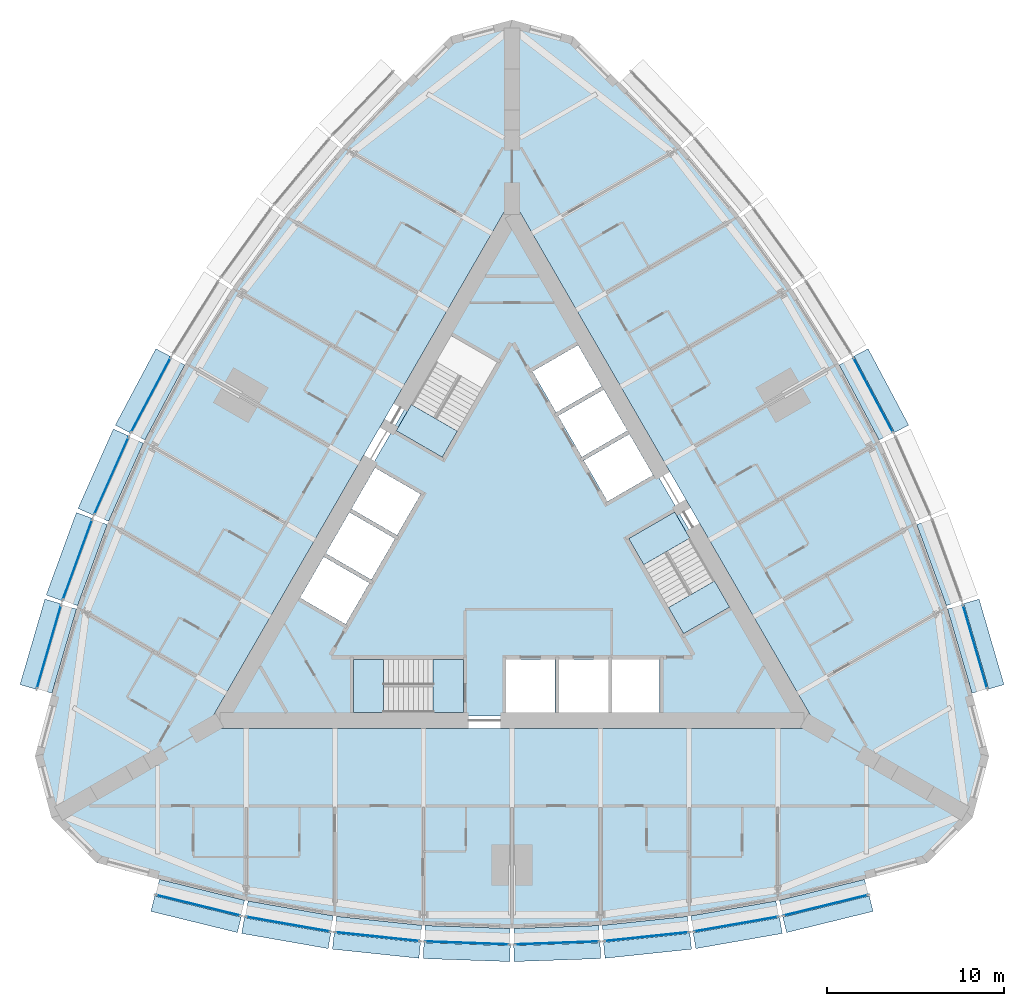
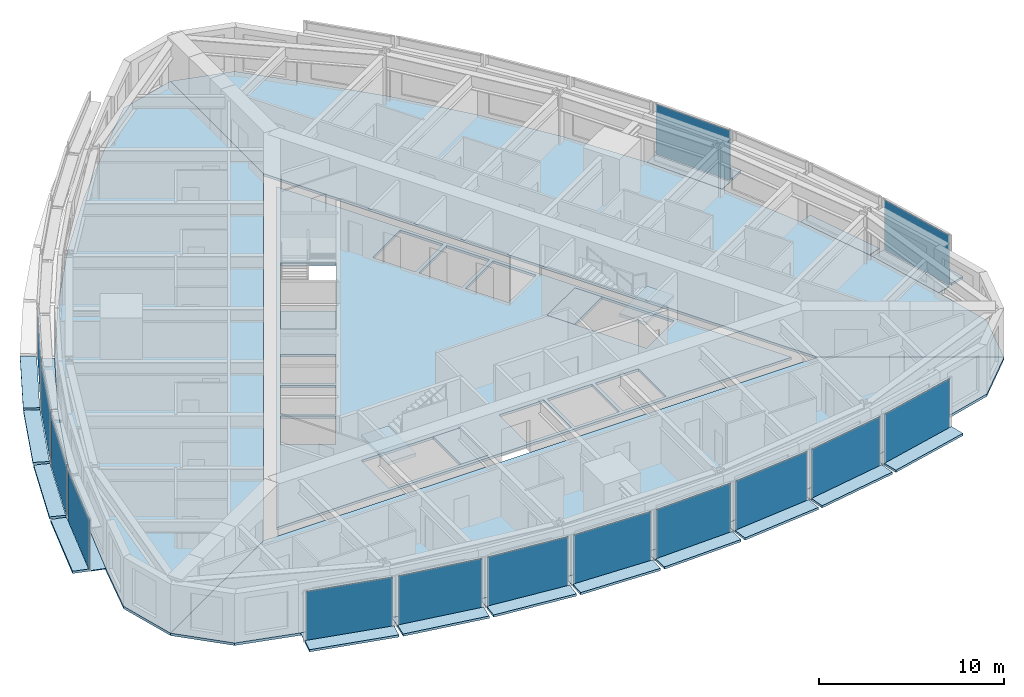
# One storey, part 6 of 14: 43 plates, 9 slabs, 17 elements without a shape of their own.
"""IFC4 building model written with IfcOpenShell, lengths in metres."""

from ifc_helpers import new_model, si_unit, direction, frame, origin, origin_2d, place, context, subcontext, project, spatial, polyline, rectangle, outline, extrude, material, layer, layer_set, type_object, element, aggregate, save


model = new_model("IFC4")

# Units and contexts
model_context = context("Model", 3, precision=1e-05, world=origin(), true_north=direction((0.0, 1.0)))
body_context = subcontext(model_context, "Body", "Model", "MODEL_VIEW")
ifc_project = project(units=[si_unit("LENGTHUNIT", "METRE"), si_unit("AREAUNIT", "SQUARE_METRE"), si_unit("VOLUMEUNIT", "CUBIC_METRE"), si_unit("PLANEANGLEUNIT", "RADIAN"), si_unit("MASSUNIT", "GRAM", prefix="KILO")], contexts=[model_context])

# Site, building, storey
site_placement = place(None, origin())
site = spatial("IfcSite", under=ifc_project, at=site_placement, CompositionType="ELEMENT")
building_placement = place(site_placement, origin())
building = spatial("IfcBuilding", under=site, at=building_placement, Name="Trikona Tower", CompositionType="ELEMENT")
storey_placement = place(building_placement, frame((0.0, 0.0, 141.89990234375)))
storey = spatial("IfcBuildingStorey", under=building, at=storey_placement, Name="L37", CompositionType="ELEMENT", Elevation=141.89990234375)

# Plates
ifc_material_1 = material(Name="Aluminium bar grating", Category="aluminium")
ifc_layer_1 = layer(ifc_material_1, 0.050048828125)
ifc_layer_set_1 = layer_set([ifc_layer_1], Name="Cavity catwalk grating")
plate_type_1 = type_object("IfcPlateType", Name="Cavity catwalk grating", PredefinedType="USERDEFINED", material=ifc_layer_set_1)
plate_1_placement = place(storey_placement, frame((-17.598876953125, -19.49072265625, -0.0498046875), z_axis=(0.0, 0.0, 1.0), x_axis=(0.971274411564, -0.237962218516, 0.0)))
element("IfcPlate", 1, at=plate_1_placement, inside=storey, type_object=plate_type_1, Name="Cavity catwalk L37-00", ObjectType="CATWALK GRATING", PredefinedType="USERDEFINED", context=body_context, shape_type="SweptSolid", body=[
    extrude(rectangle(XDim=4.947998046875, YDim=0.830078125, at=origin_2d()), origin(), (0.0, 0.0, 1.0), 0.050048828125),
])
plate_2_placement = place(storey_placement, frame((-12.571533203125, -20.54638671875, -0.0498046875), z_axis=(0.0, 0.0, 1.0), x_axis=(0.985030604067, -0.172379549401, 0.0)))
element("IfcPlate", 2, at=plate_2_placement, inside=storey, type_object=plate_type_1, Name="Cavity catwalk L37-01", ObjectType="CATWALK GRATING", PredefinedType="USERDEFINED", context=body_context, shape_type="SweptSolid", body=[
    extrude(rectangle(XDim=4.8759765625, YDim=0.830078125, at=origin_2d()), origin(), (0.0, 0.0, 1.0), 0.050048828125),
])
plate_3_placement = place(storey_placement, frame((-7.543212890625, -21.25048828125, -0.0498046875), z_axis=(0.0, 0.0, 1.0), x_axis=(0.994532653854, -0.104426052392, 0.0)))
element("IfcPlate", 3, at=plate_3_placement, inside=storey, type_object=plate_type_1, Name="Cavity catwalk L37-02", ObjectType="CATWALK GRATING", PredefinedType="USERDEFINED", context=body_context, shape_type="SweptSolid", body=[
    extrude(rectangle(XDim=4.827392578125, YDim=0.830078125, at=origin_2d()), origin(), (0.0, 0.0, 1.0), 0.050048828125),
])
for number, where, z_axis, x_axis, name in (
    (4, (-2.514404296875, -21.602294921875, -0.0498046875), (0.0, 0.0, 1.0), (0.999388082937, -0.034977988567, 0.0), "Cavity catwalk L37-03"),
    (5, (2.514404296875, -21.602294921875, -0.0498046875), (0.0, 0.0, 1.0), (0.999388082937, 0.034977988567, 0.0), "Cavity catwalk L37-04"),
):
    element("IfcPlate", number, at=place(storey_placement, frame(where, z_axis=z_axis, x_axis=x_axis)), inside=storey, type_object=plate_type_1, Name=name, ObjectType="CATWALK GRATING", PredefinedType="USERDEFINED", context=body_context, shape_type="SweptSolid", body=[
        extrude(rectangle(XDim=4.802978515625, YDim=0.830078125, at=origin_2d()), origin(), (0.0, 0.0, 1.0), 0.050048828125),
    ])
plate_4_placement = place(storey_placement, frame((7.543212890625, -21.25048828125, -0.0498046875), z_axis=(0.0, 0.0, 1.0), x_axis=(0.994532653854, 0.104426052392, 0.0)))
element("IfcPlate", 6, at=plate_4_placement, inside=storey, type_object=plate_type_1, Name="Cavity catwalk L37-05", ObjectType="CATWALK GRATING", PredefinedType="USERDEFINED", context=body_context, shape_type="SweptSolid", body=[
    extrude(rectangle(XDim=4.827392578125, YDim=0.830078125, at=origin_2d()), origin(), (0.0, 0.0, 1.0), 0.050048828125),
])
plate_5_placement = place(storey_placement, frame((12.571533203125, -20.54638671875, -0.0498046875), z_axis=(0.0, 0.0, 1.0), x_axis=(0.985030604067, 0.172379549401, 0.0)))
element("IfcPlate", 7, at=plate_5_placement, inside=storey, type_object=plate_type_1, Name="Cavity catwalk L37-06", ObjectType="CATWALK GRATING", PredefinedType="USERDEFINED", context=body_context, shape_type="SweptSolid", body=[
    extrude(rectangle(XDim=4.8759765625, YDim=0.830078125, at=origin_2d()), origin(), (0.0, 0.0, 1.0), 0.050048828125),
])
plate_6_placement = place(storey_placement, frame((17.598876953125, -19.49072265625, -0.0498046875), z_axis=(0.0, 0.0, 1.0), x_axis=(0.971274411564, 0.237962218516, 0.0)))
element("IfcPlate", 8, at=plate_6_placement, inside=storey, type_object=plate_type_1, Name="Cavity catwalk L37-07", ObjectType="CATWALK GRATING", PredefinedType="USERDEFINED", context=body_context, shape_type="SweptSolid", body=[
    extrude(rectangle(XDim=4.947998046875, YDim=0.830078125, at=origin_2d()), origin(), (0.0, 0.0, 1.0), 0.050048828125),
])
plate_7_placement = place(storey_placement, frame((25.678955078125, -5.49560546875, -0.0498046875), z_axis=(0.0, 0.0, 1.0), x_axis=(-0.279554203664, 0.960129911634, 0.0)))
element("IfcPlate", 9, at=plate_7_placement, inside=storey, type_object=plate_type_1, Name="Cavity catwalk L37-12", ObjectType="CATWALK GRATING", PredefinedType="USERDEFINED", context=body_context, shape_type="SweptSolid", body=[
    extrude(rectangle(XDim=4.94775390625, YDim=0.830078125, at=origin_2d()), origin(), (0.0, 0.0, 1.0), 0.050048828125),
])
plate_8_placement = place(storey_placement, frame((24.07958984375, -0.614013671875, -0.0498046875), z_axis=(0.0, 0.0, 1.0), x_axis=(-0.343220397324, 0.939254895575, 0.0)))
element("IfcPlate", 10, at=plate_8_placement, inside=storey, type_object=plate_type_1, Name="Cavity catwalk L37-13", ObjectType="CATWALK GRATING", PredefinedType="USERDEFINED", context=body_context, shape_type="SweptSolid", body=[
    extrude(rectangle(XDim=4.8759765625, YDim=0.830078125, at=origin_2d()), origin(), (0.0, 0.0, 1.0), 0.050048828125),
])
for number, where, z_axis, x_axis, name in (
    (11, (19.965576171875, 8.62353515625, -0.0498046875), (0.0, 0.0, 1.0), (-0.469397591494, 0.882986920118, 0.0), "Cavity catwalk L37-15"),
    (12, (-19.965576171875, 8.62353515625, -0.0498046875), (0.0, 0.0, 1.0), (-0.469397591494, -0.882986920118, 0.0), "Cavity catwalk L37-28"),
):
    element("IfcPlate", number, at=place(storey_placement, frame(where, z_axis=z_axis, x_axis=x_axis)), inside=storey, type_object=plate_type_1, Name=name, ObjectType="CATWALK GRATING", PredefinedType="USERDEFINED", context=body_context, shape_type="SweptSolid", body=[
        extrude(rectangle(XDim=4.802978515625, YDim=0.830078125, at=origin_2d()), origin(), (0.0, 0.0, 1.0), 0.050048828125),
    ])
plate_9_placement = place(storey_placement, frame((-22.175048828125, 4.092529296875, -0.0498046875), z_axis=(0.0, 0.0, 1.0), x_axis=(-0.406843467615, -0.913497888809, 0.0)))
element("IfcPlate", 13, at=plate_9_placement, inside=storey, type_object=plate_type_1, Name="Cavity catwalk L37-29", ObjectType="CATWALK GRATING", PredefinedType="USERDEFINED", context=body_context, shape_type="SweptSolid", body=[
    extrude(rectangle(XDim=4.827392578125, YDim=0.830078125, at=origin_2d()), origin(), (0.0, 0.0, 1.0), 0.050048828125),
])
plate_10_placement = place(storey_placement, frame((-24.07958984375, -0.614013671875, -0.0498046875), z_axis=(0.0, 0.0, 1.0), x_axis=(-0.343220397324, -0.939254895575, 0.0)))
element("IfcPlate", 14, at=plate_10_placement, inside=storey, type_object=plate_type_1, Name="Cavity catwalk L37-30", ObjectType="CATWALK GRATING", PredefinedType="USERDEFINED", context=body_context, shape_type="SweptSolid", body=[
    extrude(rectangle(XDim=4.8759765625, YDim=0.830078125, at=origin_2d()), origin(), (0.0, 0.0, 1.0), 0.050048828125),
])
plate_11_placement = place(storey_placement, frame((-25.678955078125, -5.49560546875, -0.0498046875), z_axis=(0.0, 0.0, 1.0), x_axis=(-0.279554203664, -0.960129911634, 0.0)))
element("IfcPlate", 15, at=plate_11_placement, inside=storey, type_object=plate_type_1, Name="Cavity catwalk L37-31", ObjectType="CATWALK GRATING", PredefinedType="USERDEFINED", context=body_context, shape_type="SweptSolid", body=[
    extrude(rectangle(XDim=4.94775390625, YDim=0.830078125, at=origin_2d()), origin(), (0.0, 0.0, 1.0), 0.050048828125),
])

# Slabs
ifc_material_2 = material(Name="Concrete f'c 5000 psi lightweight on composite steel deck", Category="concrete")
ifc_layer_2 = layer(ifc_material_2, 0.1650390625)
ifc_layer_set_2 = layer_set([ifc_layer_2], Name="Composite floor slab 165")
slab_type_1 = type_object("IfcSlabType", Name="Composite floor slab 165", PredefinedType="FLOOR", material=ifc_layer_set_2)
slab_1_placement = place(storey_placement, frame((0.0, 0.0, -0.164794921875)))
element("IfcSlab", 16, at=slab_1_placement, inside=storey, type_object=slab_type_1, Name="Floor slab L37 core", PredefinedType="FLOOR", context=body_context, shape_type="SweptSolid", body=[
    extrude(outline(polyline([(-16.06689453125, -9.2763671875), (16.06689453125, -9.2763671875), (0.0, 18.552490234375), (-16.06689453125, -9.2763671875)]), holes=[polyline([(12.285400390625, -3.126220703125), (9.185302734375, 2.2431640625), (6.587158203125, 0.7431640625), (9.687255859375, -4.626220703125), (12.285400390625, -3.126220703125)]), polyline([(8.340087890625, -9.06640625), (8.340087890625, -6.086181640625), (5.659912109375, -6.086181640625), (5.659912109375, -9.06640625), (8.340087890625, -9.06640625)]), polyline([(5.390869140625, 2.835205078125), (7.9716796875, 4.3251953125), (6.631591796875, 6.646240234375), (4.05078125, 5.15625), (5.390869140625, 2.835205078125)]), polyline([(2.600830078125, 7.667724609375), (3.94091796875, 5.3466796875), (6.521484375, 6.8369140625), (5.181640625, 9.15771484375), (2.600830078125, 7.667724609375)]), polyline([(5.43994140625, -6.086181640625), (2.659912109375, -6.086181640625), (2.659912109375, -9.06640625), (5.43994140625, -9.06640625), (5.43994140625, -6.086181640625)]), polyline([(3.731689453125, 11.669189453125), (1.15087890625, 10.17919921875), (2.490966796875, 7.858154296875), (5.071533203125, 9.34814453125), (3.731689453125, 11.669189453125)]), polyline([(-0.340087890625, -6.086181640625), (-0.340087890625, -9.06640625), (2.43994140625, -9.06640625), (2.43994140625, -6.086181640625), (-0.340087890625, -6.086181640625)]), polyline([(-3.435302734375, 12.202392578125), (-6.535400390625, 6.8330078125), (-3.937255859375, 5.3330078125), (-0.837158203125, 10.702392578125), (-3.435302734375, 12.202392578125)]), polyline([(-8.949951171875, -9.076416015625), (-2.75, -9.076416015625), (-2.75, -6.076416015625), (-8.949951171875, -6.076416015625), (-8.949951171875, -9.076416015625)]), polyline([(-5.15087890625, 3.2509765625), (-7.731689453125, 4.740966796875), (-9.071533203125, 2.419921875), (-6.490966796875, 0.929931640625), (-5.15087890625, 3.2509765625)]), polyline([(-7.94091796875, -1.581298828125), (-6.600830078125, 0.739501953125), (-9.181640625, 2.2294921875), (-10.521484375, -0.09130859375), (-7.94091796875, -1.581298828125)]), polyline([(-11.9716796875, -2.602783203125), (-9.390869140625, -4.093017578125), (-8.05078125, -1.77197265625), (-10.631591796875, -0.281982421875), (-11.9716796875, -2.602783203125)])]), origin(), (0.0, 0.0, 1.0), 0.164794921875),
])
slab_2_placement = place(storey_placement, frame((0.0, 0.0, -0.164794921875)))
element("IfcSlab", 17, at=slab_2_placement, inside=storey, type_object=slab_type_1, Name="Floor slab L37 south", PredefinedType="FLOOR", context=body_context, shape_type="SweptSolid", body=[
    extrude(outline(polyline([(23.464111328125, -17.547119140625), (26.0, -15.010986328125), (17.279296875, -9.976318359375), (-17.279296875, -9.976318359375), (-26.0, -15.010986328125), (-23.464111328125, -17.547119140625), (-20.0, -18.47509765625), (-15.0, -19.7001953125), (-10.0, -20.5751953125), (-5.0, -21.10009765625), (0.0, -21.275146484375), (5.0, -21.10009765625), (10.0, -20.5751953125), (15.0, -19.7001953125), (20.0, -18.47509765625), (23.464111328125, -17.547119140625)])), origin(), (0.0, 0.0, 1.0), 0.164794921875),
])
slab_3_placement = place(storey_placement, frame((0.0, 0.0, -0.164794921875)))
element("IfcSlab", 18, at=slab_3_placement, inside=storey, type_object=slab_type_1, Name="Floor slab L37 north-east", PredefinedType="FLOOR", context=body_context, shape_type="SweptSolid", body=[
    extrude(outline(polyline([(3.464111328125, 29.093994140625), (0.0, 30.022216796875), (0.0, 19.95263671875), (17.279296875, -9.976318359375), (26.0, -15.010986328125), (26.92822265625, -11.547119140625), (26.0, -8.0830078125), (24.560791015625, -3.140380859375), (22.818603515625, 1.62744140625), (20.773193359375, 6.219970703125), (18.4248046875, 10.6376953125), (15.773193359375, 14.880126953125), (12.818603515625, 18.947998046875), (9.560791015625, 22.840576171875), (6.0, 26.55810546875), (3.464111328125, 29.093994140625)])), origin(), (0.0, 0.0, 1.0), 0.164794921875),
])
slab_4_placement = place(storey_placement, frame((0.0, 0.0, -0.164794921875)))
element("IfcSlab", 19, at=slab_4_placement, inside=storey, type_object=slab_type_1, Name="Floor slab L37 north-west", PredefinedType="FLOOR", context=body_context, shape_type="SweptSolid", body=[
    extrude(outline(polyline([(0.0, 19.95263671875), (0.0, 30.022216796875), (-3.464111328125, 29.093994140625), (-6.0, 26.55810546875), (-9.560791015625, 22.840576171875), (-12.818603515625, 18.947998046875), (-15.773193359375, 14.880126953125), (-18.4248046875, 10.6376953125), (-20.773193359375, 6.219970703125), (-22.818603515625, 1.62744140625), (-24.560791015625, -3.140380859375), (-26.0, -8.0830078125), (-26.92822265625, -11.547119140625), (-26.0, -15.010986328125), (-17.279296875, -9.976318359375), (0.0, 19.95263671875)])), origin(), (0.0, 0.0, 1.0), 0.164794921875),
])

# Curtain wall, plate
ifc_material_3 = material(Name="Aluminium curtain wall system", Category="aluminium")
curtain_wall_type = type_object("IfcCurtainWallType", Name="Curtain wall DS2", PredefinedType="NOTDEFINED", material=ifc_material_3)
curtain_wall_1_placement = place(storey_placement, origin())
curtain_wall_1 = element("IfcCurtainWall", 20, at=curtain_wall_1_placement, inside=storey, type_object=curtain_wall_type, Name="Curtain wall DS2 L37", PredefinedType="NOTDEFINED")
ifc_material_4 = material(Name="Laminated clear glass", Category="glass")
ifc_layer_3 = layer(ifc_material_4, 0.028076171875)
ifc_layer_set_3 = layer_set([ifc_layer_3], Name="Glass panel DS2")
plate_type_2 = type_object("IfcPlateType", Name="Glass panel DS2", PredefinedType="CURTAIN_PANEL", material=ifc_layer_set_3)
plate_12_placement = place(storey_placement, frame((-17.714111328125, -19.9619140625, 0.0), z_axis=(0.0, 0.0, 1.0), x_axis=(0.971272455026, -0.237970204243, 0.0)))
plate_12 = element("IfcPlate", 21, at=plate_12_placement, type_object=plate_type_2, Name="CW-DS2 panel 1.1", PredefinedType="CURTAIN_PANEL", context=body_context, shape_type="SweptSolid", body=[
    extrude(rectangle(XDim=4.867919921875, YDim=0.028076171875, at=origin_2d()), origin(), (0.0, 0.0, 1.0), 3.320068359375),
])
aggregate(curtain_wall_1, [plate_12])

curtain_wall_2_placement = place(storey_placement, origin())
curtain_wall_2 = element("IfcCurtainWall", 22, at=curtain_wall_2_placement, inside=storey, type_object=curtain_wall_type, Name="Curtain wall DS2 L37", PredefinedType="NOTDEFINED")
plate_13_placement = place(storey_placement, frame((-12.655029296875, -21.024169921875, 0.0), z_axis=(0.0, 0.0, 1.0), x_axis=(0.985030981074, -0.17237739505, 0.0)))
plate_13 = element("IfcPlate", 23, at=plate_13_placement, type_object=plate_type_2, Name="CW-DS2 panel 1.1", PredefinedType="CURTAIN_PANEL", context=body_context, shape_type="SweptSolid", body=[
    extrude(rectangle(XDim=4.7958984375, YDim=0.028076171875, at=origin_2d()), origin(), (0.0, 0.0, 1.0), 3.320068359375),
])
aggregate(curtain_wall_2, [plate_13])

curtain_wall_3_placement = place(storey_placement, origin())
curtain_wall_3 = element("IfcCurtainWall", 24, at=curtain_wall_3_placement, inside=storey, type_object=curtain_wall_type, Name="Curtain wall DS2 L37", PredefinedType="NOTDEFINED")
plate_14_placement = place(storey_placement, frame((-7.593994140625, -21.732666015625, 0.0), z_axis=(0.0, 0.0, 1.0), x_axis=(0.994531883654, -0.104433387357, 0.0)))
plate_14 = element("IfcPlate", 25, at=plate_14_placement, type_object=plate_type_2, Name="CW-DS2 panel 1.1", PredefinedType="CURTAIN_PANEL", context=body_context, shape_type="SweptSolid", body=[
    extrude(rectangle(XDim=4.747314453125, YDim=0.028076171875, at=origin_2d()), origin(), (0.0, 0.0, 1.0), 3.320068359375),
])
aggregate(curtain_wall_3, [plate_14])

curtain_wall_4_placement = place(storey_placement, origin())
curtain_wall_4 = element("IfcCurtainWall", 26, at=curtain_wall_4_placement, inside=storey, type_object=curtain_wall_type, Name="Curtain wall DS2 L37", PredefinedType="NOTDEFINED")
plate_15_placement = place(storey_placement, frame((-2.531494140625, -22.087158203125, 0.0), z_axis=(0.0, 0.0, 1.0), x_axis=(0.99938737114, -0.034998320052, 0.0)))
plate_15 = element("IfcPlate", 27, at=plate_15_placement, type_object=plate_type_2, Name="CW-DS2 panel 1.1", PredefinedType="CURTAIN_PANEL", context=body_context, shape_type="SweptSolid", body=[
    extrude(rectangle(XDim=4.72314453125, YDim=0.028076171875, at=origin_2d()), origin(), (0.0, 0.0, 1.0), 3.320068359375),
])
aggregate(curtain_wall_4, [plate_15])

curtain_wall_5_placement = place(storey_placement, origin())
curtain_wall_5 = element("IfcCurtainWall", 28, at=curtain_wall_5_placement, inside=storey, type_object=curtain_wall_type, Name="Curtain wall DS2 L37", PredefinedType="NOTDEFINED")
plate_16_placement = place(storey_placement, frame((2.531494140625, -22.087158203125, 0.0), z_axis=(0.0, 0.0, 1.0), x_axis=(0.99938737114, 0.034998320052, 0.0)))
plate_16 = element("IfcPlate", 29, at=plate_16_placement, type_object=plate_type_2, Name="CW-DS2 panel 1.1", PredefinedType="CURTAIN_PANEL", context=body_context, shape_type="SweptSolid", body=[
    extrude(rectangle(XDim=4.72314453125, YDim=0.028076171875, at=origin_2d()), origin(), (0.0, 0.0, 1.0), 3.320068359375),
])
aggregate(curtain_wall_5, [plate_16])

curtain_wall_6_placement = place(storey_placement, origin())
curtain_wall_6 = element("IfcCurtainWall", 30, at=curtain_wall_6_placement, inside=storey, type_object=curtain_wall_type, Name="Curtain wall DS2 L37", PredefinedType="NOTDEFINED")
plate_17_placement = place(storey_placement, frame((7.593994140625, -21.732666015625, 0.0), z_axis=(0.0, 0.0, 1.0), x_axis=(0.994531883654, 0.104433387357, 0.0)))
plate_17 = element("IfcPlate", 31, at=plate_17_placement, type_object=plate_type_2, Name="CW-DS2 panel 1.1", PredefinedType="CURTAIN_PANEL", context=body_context, shape_type="SweptSolid", body=[
    extrude(rectangle(XDim=4.747314453125, YDim=0.028076171875, at=origin_2d()), origin(), (0.0, 0.0, 1.0), 3.320068359375),
])
aggregate(curtain_wall_6, [plate_17])

curtain_wall_7_placement = place(storey_placement, origin())
curtain_wall_7 = element("IfcCurtainWall", 32, at=curtain_wall_7_placement, inside=storey, type_object=curtain_wall_type, Name="Curtain wall DS2 L37", PredefinedType="NOTDEFINED")
plate_18_placement = place(storey_placement, frame((12.655029296875, -21.024169921875, 0.0), z_axis=(0.0, 0.0, 1.0), x_axis=(0.985030981074, 0.17237739505, 0.0)))
plate_18 = element("IfcPlate", 33, at=plate_18_placement, type_object=plate_type_2, Name="CW-DS2 panel 1.1", PredefinedType="CURTAIN_PANEL", context=body_context, shape_type="SweptSolid", body=[
    extrude(rectangle(XDim=4.7958984375, YDim=0.028076171875, at=origin_2d()), origin(), (0.0, 0.0, 1.0), 3.320068359375),
])
aggregate(curtain_wall_7, [plate_18])

curtain_wall_8_placement = place(storey_placement, origin())
curtain_wall_8 = element("IfcCurtainWall", 34, at=curtain_wall_8_placement, inside=storey, type_object=curtain_wall_type, Name="Curtain wall DS2 L37", PredefinedType="NOTDEFINED")
plate_19_placement = place(storey_placement, frame((17.714111328125, -19.9619140625, 0.0), z_axis=(0.0, 0.0, 1.0), x_axis=(0.971272455026, 0.237970204243, 0.0)))
plate_19 = element("IfcPlate", 35, at=plate_19_placement, type_object=plate_type_2, Name="CW-DS2 panel 1.1", PredefinedType="CURTAIN_PANEL", context=body_context, shape_type="SweptSolid", body=[
    extrude(rectangle(XDim=4.867919921875, YDim=0.028076171875, at=origin_2d()), origin(), (0.0, 0.0, 1.0), 3.320068359375),
])
aggregate(curtain_wall_8, [plate_19])

curtain_wall_9_placement = place(storey_placement, origin())
curtain_wall_9 = element("IfcCurtainWall", 36, at=curtain_wall_9_placement, inside=storey, type_object=curtain_wall_type, Name="Curtain wall DS2 L37", PredefinedType="NOTDEFINED")
plate_20_placement = place(storey_placement, frame((26.14453125, -5.360107421875, 0.0), z_axis=(0.0, 0.0, 1.0), x_axis=(-0.279543247757, 0.96013310152, 0.0)))
plate_20 = element("IfcPlate", 37, at=plate_20_placement, type_object=plate_type_2, Name="CW-DS2 panel 1.1", PredefinedType="CURTAIN_PANEL", context=body_context, shape_type="SweptSolid", body=[
    extrude(rectangle(XDim=4.867919921875, YDim=0.028076171875, at=origin_2d()), origin(), (0.0, 0.0, 1.0), 3.320068359375),
])
aggregate(curtain_wall_9, [plate_20])

curtain_wall_10_placement = place(storey_placement, origin())
curtain_wall_10 = element("IfcCurtainWall", 38, at=curtain_wall_10_placement, inside=storey, type_object=curtain_wall_type, Name="Curtain wall DS2 L37", PredefinedType="NOTDEFINED")
plate_21_placement = place(storey_placement, frame((20.393798828125, 8.851318359375, 0.0), z_axis=(0.0, 0.0, 1.0), x_axis=(-0.469380308937, 0.882996107343, 0.0)))
plate_21 = element("IfcPlate", 39, at=plate_21_placement, type_object=plate_type_2, Name="CW-DS2 panel 1.1", PredefinedType="CURTAIN_PANEL", context=body_context, shape_type="SweptSolid", body=[
    extrude(rectangle(XDim=4.72314453125, YDim=0.028076171875, at=origin_2d()), origin(), (0.0, 0.0, 1.0), 3.320068359375),
])
aggregate(curtain_wall_10, [plate_21])

curtain_wall_11_placement = place(storey_placement, origin())
curtain_wall_11 = element("IfcCurtainWall", 40, at=curtain_wall_11_placement, inside=storey, type_object=curtain_wall_type, Name="Curtain wall DS2 L37", PredefinedType="NOTDEFINED")
plate_22_placement = place(storey_placement, frame((-20.393798828125, 8.851318359375, 0.0), z_axis=(0.0, 0.0, 1.0), x_axis=(-0.469380308937, -0.882996107343, 0.0)))
plate_22 = element("IfcPlate", 41, at=plate_22_placement, type_object=plate_type_2, Name="CW-DS2 panel 1.1", PredefinedType="CURTAIN_PANEL", context=body_context, shape_type="SweptSolid", body=[
    extrude(rectangle(XDim=4.72314453125, YDim=0.028076171875, at=origin_2d()), origin(), (0.0, 0.0, 1.0), 3.320068359375),
])
aggregate(curtain_wall_11, [plate_22])

curtain_wall_12_placement = place(storey_placement, origin())
curtain_wall_12 = element("IfcCurtainWall", 42, at=curtain_wall_12_placement, inside=storey, type_object=curtain_wall_type, Name="Curtain wall DS2 L37", PredefinedType="NOTDEFINED")
plate_23_placement = place(storey_placement, frame((-22.6181640625, 4.289794921875, 0.0), z_axis=(0.0, 0.0, 1.0), x_axis=(-0.406836013132, -0.913501208767, 0.0)))
plate_23 = element("IfcPlate", 43, at=plate_23_placement, type_object=plate_type_2, Name="CW-DS2 panel 1.1", PredefinedType="CURTAIN_PANEL", context=body_context, shape_type="SweptSolid", body=[
    extrude(rectangle(XDim=4.747314453125, YDim=0.028076171875, at=origin_2d()), origin(), (0.0, 0.0, 1.0), 3.320068359375),
])
aggregate(curtain_wall_12, [plate_23])

curtain_wall_13_placement = place(storey_placement, origin())
curtain_wall_13 = element("IfcCurtainWall", 44, at=curtain_wall_13_placement, inside=storey, type_object=curtain_wall_type, Name="Curtain wall DS2 L37", PredefinedType="NOTDEFINED")
plate_24_placement = place(storey_placement, frame((-24.53515625, -0.447509765625, 0.0), z_axis=(0.0, 0.0, 1.0), x_axis=(-0.343223420143, -0.939253790978, 0.0)))
plate_24 = element("IfcPlate", 45, at=plate_24_placement, type_object=plate_type_2, Name="CW-DS2 panel 1.1", PredefinedType="CURTAIN_PANEL", context=body_context, shape_type="SweptSolid", body=[
    extrude(rectangle(XDim=4.7958984375, YDim=0.028076171875, at=origin_2d()), origin(), (0.0, 0.0, 1.0), 3.320068359375),
])
aggregate(curtain_wall_13, [plate_24])

curtain_wall_14_placement = place(storey_placement, origin())
curtain_wall_14 = element("IfcCurtainWall", 46, at=curtain_wall_14_placement, inside=storey, type_object=curtain_wall_type, Name="Curtain wall DS2 L37", PredefinedType="NOTDEFINED")
plate_25_placement = place(storey_placement, frame((-26.14453125, -5.360107421875, 0.0), z_axis=(0.0, 0.0, 1.0), x_axis=(-0.279543247757, -0.96013310152, 0.0)))
plate_25 = element("IfcPlate", 47, at=plate_25_placement, type_object=plate_type_2, Name="CW-DS2 panel 1.1", PredefinedType="CURTAIN_PANEL", context=body_context, shape_type="SweptSolid", body=[
    extrude(rectangle(XDim=4.867919921875, YDim=0.028076171875, at=origin_2d()), origin(), (0.0, 0.0, 1.0), 3.320068359375),
])
aggregate(curtain_wall_14, [plate_25])

# Plates
ifc_material_5 = material(Name="Aluminium plate fin, pale anodised, on stainless steel outriggers", Category="steel")
ifc_layer_4 = layer(ifc_material_5, 0.14990234375)
ifc_layer_set_4 = layer_set([ifc_layer_4], Name="Outer skin fin 900")
plate_type_3 = type_object("IfcPlateType", Name="Outer skin fin 900", PredefinedType="USERDEFINED", material=ifc_layer_set_4)
plate_26_placement = place(storey_placement, frame((-17.837890625, -20.466796875, 0.000244140625), z_axis=(0.0, 0.0, 1.0), x_axis=(0.971274411564, -0.237962218516, 0.0)))
element("IfcPlate", 48, at=plate_26_placement, inside=storey, type_object=plate_type_3, Name="Outer skin fin L37-00", ObjectType="FIN", PredefinedType="USERDEFINED", context=body_context, shape_type="SweptSolid", body=[
    extrude(rectangle(XDim=5.02783203125, YDim=0.89990234375, at=origin_2d()), origin(), (0.0, 0.0, 1.0), 0.14990234375),
])
plate_27_placement = place(storey_placement, frame((-12.744873046875, -21.536376953125, 0.000244140625), z_axis=(0.0, 0.0, 1.0), x_axis=(0.985030604067, -0.172379549401, 0.0)))
element("IfcPlate", 49, at=plate_27_placement, inside=storey, type_object=plate_type_3, Name="Outer skin fin L37-01", ObjectType="FIN", PredefinedType="USERDEFINED", context=body_context, shape_type="SweptSolid", body=[
    extrude(rectangle(XDim=4.9560546875, YDim=0.89990234375, at=origin_2d()), origin(), (0.0, 0.0, 1.0), 0.14990234375),
])
plate_28_placement = place(storey_placement, frame((-7.648193359375, -22.25, 0.000244140625), z_axis=(0.0, 0.0, 1.0), x_axis=(0.994532653854, -0.104426052392, 0.0)))
element("IfcPlate", 50, at=plate_28_placement, inside=storey, type_object=plate_type_3, Name="Outer skin fin L37-02", ObjectType="FIN", PredefinedType="USERDEFINED", context=body_context, shape_type="SweptSolid", body=[
    extrude(rectangle(XDim=4.907470703125, YDim=0.89990234375, at=origin_2d()), origin(), (0.0, 0.0, 1.0), 0.14990234375),
])
for number, where, z_axis, x_axis, name in (
    (51, (-2.5498046875, -22.606689453125, 0.000244140625), (0.0, 0.0, 1.0), (0.999388082937, -0.034977988567, 0.0), "Outer skin fin L37-03"),
    (52, (2.5498046875, -22.606689453125, 0.000244140625), (0.0, 0.0, 1.0), (0.999388082937, 0.034977988567, 0.0), "Outer skin fin L37-04"),
):
    element("IfcPlate", number, at=place(storey_placement, frame(where, z_axis=z_axis, x_axis=x_axis)), inside=storey, type_object=plate_type_3, Name=name, ObjectType="FIN", PredefinedType="USERDEFINED", context=body_context, shape_type="SweptSolid", body=[
        extrude(rectangle(XDim=4.883056640625, YDim=0.89990234375, at=origin_2d()), origin(), (0.0, 0.0, 1.0), 0.14990234375),
    ])
plate_29_placement = place(storey_placement, frame((7.648193359375, -22.25, 0.000244140625), z_axis=(0.0, 0.0, 1.0), x_axis=(0.994532653854, 0.104426052392, 0.0)))
element("IfcPlate", 53, at=plate_29_placement, inside=storey, type_object=plate_type_3, Name="Outer skin fin L37-05", ObjectType="FIN", PredefinedType="USERDEFINED", context=body_context, shape_type="SweptSolid", body=[
    extrude(rectangle(XDim=4.907470703125, YDim=0.89990234375, at=origin_2d()), origin(), (0.0, 0.0, 1.0), 0.14990234375),
])
plate_30_placement = place(storey_placement, frame((12.744873046875, -21.536376953125, 0.000244140625), z_axis=(0.0, 0.0, 1.0), x_axis=(0.985030604067, 0.172379549401, 0.0)))
element("IfcPlate", 54, at=plate_30_placement, inside=storey, type_object=plate_type_3, Name="Outer skin fin L37-06", ObjectType="FIN", PredefinedType="USERDEFINED", context=body_context, shape_type="SweptSolid", body=[
    extrude(rectangle(XDim=4.9560546875, YDim=0.89990234375, at=origin_2d()), origin(), (0.0, 0.0, 1.0), 0.14990234375),
])
for number, where, z_axis, x_axis, name in (
    (55, (17.837890625, -20.466796875, 0.000244140625), (0.0, 0.0, 1.0), (0.971274411564, 0.237962218516, 0.0), "Outer skin fin L37-07"),
    (56, (26.643798828125, -5.214599609375, 0.000244140625), (0.0, 0.0, 1.0), (-0.279554203664, 0.960129911634, 0.0), "Outer skin fin L37-12"),
):
    element("IfcPlate", number, at=place(storey_placement, frame(where, z_axis=z_axis, x_axis=x_axis)), inside=storey, type_object=plate_type_3, Name=name, ObjectType="FIN", PredefinedType="USERDEFINED", context=body_context, shape_type="SweptSolid", body=[
        extrude(rectangle(XDim=5.02783203125, YDim=0.89990234375, at=origin_2d()), origin(), (0.0, 0.0, 1.0), 0.14990234375),
    ])
for number, where, z_axis, x_axis, name in (
    (57, (20.852783203125, 9.09521484375, 0.000244140625), (0.0, 0.0, 1.0), (-0.469397591494, 0.882986920118, 0.0), "Outer skin fin L37-15"),
    (58, (-20.852783203125, 9.09521484375, 0.000244140625), (0.0, 0.0, 1.0), (-0.469397591494, -0.882986920118, 0.0), "Outer skin fin L37-28"),
):
    element("IfcPlate", number, at=place(storey_placement, frame(where, z_axis=z_axis, x_axis=x_axis)), inside=storey, type_object=plate_type_3, Name=name, ObjectType="FIN", PredefinedType="USERDEFINED", context=body_context, shape_type="SweptSolid", body=[
        extrude(rectangle(XDim=4.883056640625, YDim=0.89990234375, at=origin_2d()), origin(), (0.0, 0.0, 1.0), 0.14990234375),
    ])
plate_31_placement = place(storey_placement, frame((-23.09326171875, 4.50146484375, 0.000244140625), z_axis=(0.0, 0.0, 1.0), x_axis=(-0.406843467615, -0.913497888809, 0.0)))
element("IfcPlate", 59, at=plate_31_placement, inside=storey, type_object=plate_type_3, Name="Outer skin fin L37-29", ObjectType="FIN", PredefinedType="USERDEFINED", context=body_context, shape_type="SweptSolid", body=[
    extrude(rectangle(XDim=4.907470703125, YDim=0.89990234375, at=origin_2d()), origin(), (0.0, 0.0, 1.0), 0.14990234375),
])
plate_32_placement = place(storey_placement, frame((-25.0234375, -0.26904296875, 0.000244140625), z_axis=(0.0, 0.0, 1.0), x_axis=(-0.343220397324, -0.939254895575, 0.0)))
element("IfcPlate", 60, at=plate_32_placement, inside=storey, type_object=plate_type_3, Name="Outer skin fin L37-30", ObjectType="FIN", PredefinedType="USERDEFINED", context=body_context, shape_type="SweptSolid", body=[
    extrude(rectangle(XDim=4.9560546875, YDim=0.89990234375, at=origin_2d()), origin(), (0.0, 0.0, 1.0), 0.14990234375),
])
plate_33_placement = place(storey_placement, frame((-26.643798828125, -5.214599609375, 0.000244140625), z_axis=(0.0, 0.0, 1.0), x_axis=(-0.279554203664, -0.960129911634, 0.0)))
element("IfcPlate", 61, at=plate_33_placement, inside=storey, type_object=plate_type_3, Name="Outer skin fin L37-31", ObjectType="FIN", PredefinedType="USERDEFINED", context=body_context, shape_type="SweptSolid", body=[
    extrude(rectangle(XDim=5.02783203125, YDim=0.89990234375, at=origin_2d()), origin(), (0.0, 0.0, 1.0), 0.14990234375),
])

# Stair, slabs
ifc_material_6 = material(Name="Concrete f'c 5000 psi", Category="concrete")
stair_type = type_object("IfcStairType", Name="Core stair", PredefinedType="HALF_TURN_STAIR", material=ifc_material_6)
stair_1_placement = place(storey_placement, origin())
stair_1 = element("IfcStair", 62, at=stair_1_placement, inside=storey, type_object=stair_type, Name="Stair A L37", PredefinedType="HALF_TURN_STAIR")
ifc_material_7 = material(Name="Concrete f'c 5000 psi", Category="concrete")
ifc_layer_5 = layer(ifc_material_7, 0.199951171875)
ifc_layer_set_5 = layer_set([ifc_layer_5], Name="Stair landing 200")
slab_type_2 = type_object("IfcSlabType", Name="Stair landing 200", PredefinedType="LANDING", material=ifc_layer_set_5)
slab_5_placement = place(storey_placement, frame((0.0, 0.0, -0.199951171875)))
slab_5 = element("IfcSlab", 63, at=slab_5_placement, type_object=slab_type_2, Name="ST-A landing 1", PredefinedType="LANDING", context=body_context, shape_type="SweptSolid", body=[
    extrude(outline(polyline([(-4.452880859375, -6.076416015625), (-2.75, -6.076416015625), (-2.75, -9.076416015625), (-4.452880859375, -9.076416015625), (-4.452880859375, -6.076416015625)])), origin(), (0.0, 0.0, 1.0), 0.199951171875),
])
slab_6_placement = place(storey_placement, frame((0.0, 0.0, 1.5)))
slab_6 = element("IfcSlab", 64, at=slab_6_placement, type_object=slab_type_2, Name="ST-A landing 2", PredefinedType="LANDING", context=body_context, shape_type="SweptSolid", body=[
    extrude(outline(polyline([(-8.949951171875, -6.076416015625), (-7.2470703125, -6.076416015625), (-7.2470703125, -9.076416015625), (-8.949951171875, -9.076416015625), (-8.949951171875, -6.076416015625)])), origin(), (0.0, 0.0, 1.0), 0.2001953125),
])
aggregate(stair_1, [slab_5, slab_6])

stair_2_placement = place(storey_placement, origin())
stair_2 = element("IfcStair", 65, at=stair_2_placement, inside=storey, type_object=stair_type, Name="Stair B L37", PredefinedType="HALF_TURN_STAIR")
slab_7_placement = place(storey_placement, frame((0.0, 0.0, -0.199951171875)))
slab_7 = element("IfcSlab", 66, at=slab_7_placement, type_object=slab_type_2, Name="ST-B landing 1", PredefinedType="LANDING", context=body_context, shape_type="SweptSolid", body=[
    extrude(outline(polyline([(7.438720703125, -0.731689453125), (6.587158203125, 0.7431640625), (9.185302734375, 2.2431640625), (10.036865234375, 0.768310546875), (7.438720703125, -0.731689453125)])), origin(), (0.0, 0.0, 1.0), 0.199951171875),
])
slab_8_placement = place(storey_placement, frame((0.0, 0.0, 1.5)))
slab_8 = element("IfcSlab", 67, at=slab_8_placement, type_object=slab_type_2, Name="ST-B landing 2", PredefinedType="LANDING", context=body_context, shape_type="SweptSolid", body=[
    extrude(outline(polyline([(9.687255859375, -4.626220703125), (8.835693359375, -3.1513671875), (11.433837890625, -1.6513671875), (12.285400390625, -3.126220703125), (9.687255859375, -4.626220703125)])), origin(), (0.0, 0.0, 1.0), 0.2001953125),
])
aggregate(stair_2, [slab_7, slab_8])

# Stair, slab
stair_3_placement = place(storey_placement, origin())
stair_3 = element("IfcStair", 68, at=stair_3_placement, inside=storey, type_object=stair_type, Name="Stair C L37", PredefinedType="HALF_TURN_STAIR")
slab_9_placement = place(storey_placement, frame((0.0, 0.0, -0.199951171875)))
slab_9 = element("IfcSlab", 69, at=slab_9_placement, type_object=slab_type_2, Name="ST-C landing 1", PredefinedType="LANDING", context=body_context, shape_type="SweptSolid", body=[
    extrude(outline(polyline([(-3.085693359375, 6.807861328125), (-3.937255859375, 5.3330078125), (-6.535400390625, 6.8330078125), (-5.683837890625, 8.307861328125), (-3.085693359375, 6.807861328125)])), origin(), (0.0, 0.0, 1.0), 0.199951171875),
])
aggregate(stair_3, [slab_9])

save(model, "model.ifc")
